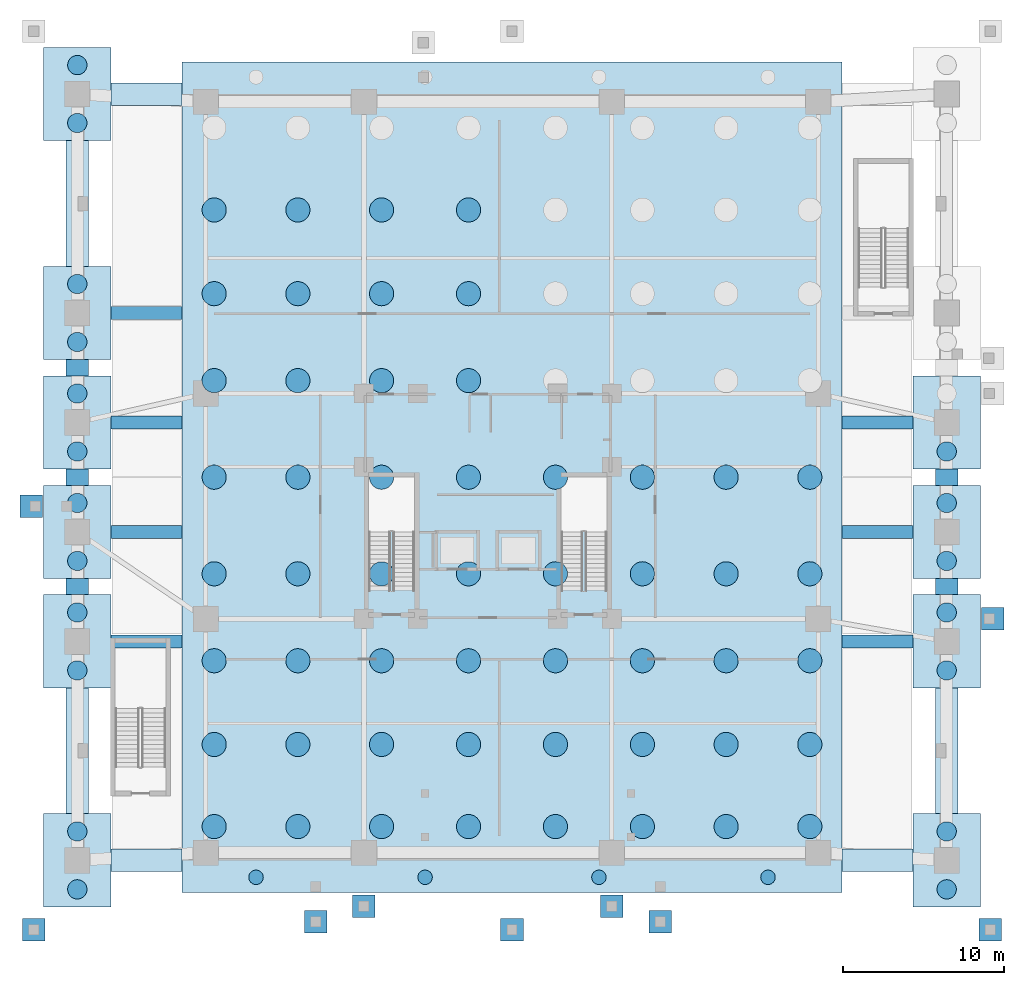
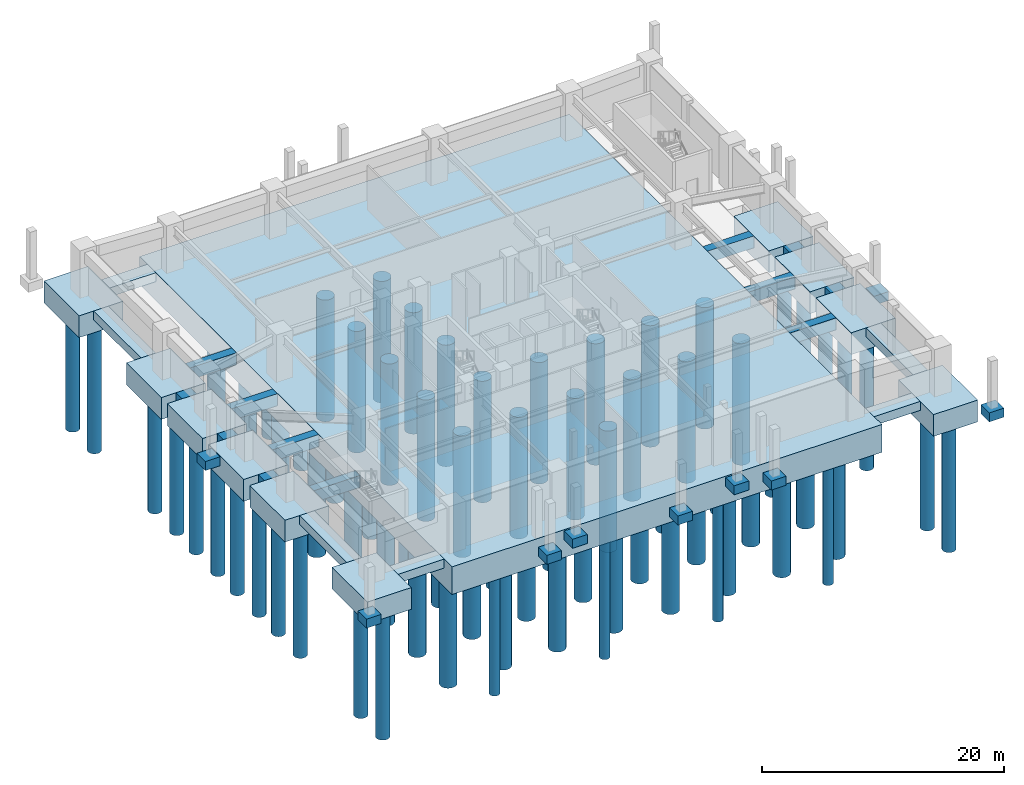
# One storey, part 1 of 8: 75 piles, 38 footings.
"""IFC4 building model written with IfcOpenShell, lengths in metres."""

from ifc_helpers import new_model, si_unit, derived_unit, direction, frame, origin, origin_2d, place, context, subcontext, project, spatial, polyline, circle, outline, extrude, material, layer, layer_set, material_profile, profile_set, type_object, element, save


model = new_model("IFC4")

# Units and contexts
model_context = context("Model", 3, precision=1e-05, world=origin(), true_north=direction((0.0, 1.0)))
body_context = subcontext(model_context, "Body", "Model", "MODEL_VIEW")
ifc_project = project(units=[si_unit("LENGTHUNIT", "METRE"), si_unit("AREAUNIT", "SQUARE_METRE"), si_unit("VOLUMEUNIT", "CUBIC_METRE"), si_unit("PLANEANGLEUNIT", "RADIAN"), si_unit("MASSUNIT", "GRAM", prefix="KILO"), derived_unit("THERMALTRANSMITTANCEUNIT", [(si_unit("MASSUNIT", "GRAM", prefix="KILO"), 1), (si_unit("TIMEUNIT", "SECOND"), -3), (si_unit("THERMODYNAMICTEMPERATUREUNIT", "KELVIN"), -1)])], contexts=[model_context])

# Site, building, storey
site_placement = place(None, origin())
site = spatial("IfcSite", under=ifc_project, at=site_placement, CompositionType="ELEMENT")
building_placement = place(site_placement, origin())
building = spatial("IfcBuilding", under=site, at=building_placement, Name="Korrvale Station Residences", CompositionType="ELEMENT")
storey_placement = place(building_placement, frame((0.0, 0.0, -9.60009765625)))
storey = spatial("IfcBuildingStorey", under=building, at=storey_placement, Name="B02", CompositionType="ELEMENT", Elevation=-9.60009765625)

# Footings
ifc_material = material(Name="Concrete C50/60", Category="concrete")
ifc_layer_1 = layer(ifc_material, 2.199951171875, Name="Concrete C50/60")
ifc_layer_set_1 = layer_set([ifc_layer_1], Name="Concrete C50/60")
footing_type_1 = type_object("IfcFootingType", Name="FTG-CAP-4200x5800", PredefinedType="PILE_CAP", material=ifc_layer_set_1)
footing_1_placement = place(storey_placement, frame((0.0, 0.0, -2.199951171875)))
element("IfcFooting", 1, at=footing_1_placement, inside=storey, type_object=footing_type_1, Name="Station Mega-Column Pile Cap PC-01", PredefinedType="PILE_CAP", context=body_context, shape_type="SweptSolid", body=[
    extrude(outline(polyline([(-2.10009765625, -2.89990234375), (2.10009765625, -2.89990234375), (2.10009765625, 2.89990234375), (-2.10009765625, 2.89990234375), (-2.10009765625, -2.89990234375)])), origin(), (0.0, 0.0, 1.0), 2.199951171875),
])
footing_2_placement = place(storey_placement, frame((0.0, 0.0, -2.199951171875)))
element("IfcFooting", 2, at=footing_2_placement, inside=storey, type_object=footing_type_1, Name="Station Mega-Column Pile Cap PC-02", PredefinedType="PILE_CAP", context=body_context, shape_type="SweptSolid", body=[
    extrude(outline(polyline([(-2.10009765625, 10.699951171875), (2.10009765625, 10.699951171875), (2.10009765625, 16.5), (-2.10009765625, 16.5), (-2.10009765625, 10.699951171875)])), origin(), (0.0, 0.0, 1.0), 2.199951171875),
])
footing_3_placement = place(storey_placement, frame((0.0, 0.0, -2.199951171875)))
element("IfcFooting", 3, at=footing_3_placement, inside=storey, type_object=footing_type_1, Name="Station Mega-Column Pile Cap PC-03", PredefinedType="PILE_CAP", context=body_context, shape_type="SweptSolid", body=[
    extrude(outline(polyline([(-2.10009765625, 17.5), (2.10009765625, 17.5), (2.10009765625, 23.300048828125), (-2.10009765625, 23.300048828125), (-2.10009765625, 17.5)])), origin(), (0.0, 0.0, 1.0), 2.199951171875),
])
footing_4_placement = place(storey_placement, frame((0.0, 0.0, -2.199951171875)))
element("IfcFooting", 4, at=footing_4_placement, inside=storey, type_object=footing_type_1, Name="Station Mega-Column Pile Cap PC-04", PredefinedType="PILE_CAP", context=body_context, shape_type="SweptSolid", body=[
    extrude(outline(polyline([(-2.10009765625, 24.300048828125), (2.10009765625, 24.300048828125), (2.10009765625, 30.10009765625), (-2.10009765625, 30.10009765625), (-2.10009765625, 24.300048828125)])), origin(), (0.0, 0.0, 1.0), 2.199951171875),
])
footing_5_placement = place(storey_placement, frame((0.0, 0.0, -2.199951171875)))
element("IfcFooting", 5, at=footing_5_placement, inside=storey, type_object=footing_type_1, Name="Station Mega-Column Pile Cap PC-05", PredefinedType="PILE_CAP", context=body_context, shape_type="SweptSolid", body=[
    extrude(outline(polyline([(-2.10009765625, 31.10009765625), (2.10009765625, 31.10009765625), (2.10009765625, 36.89990234375), (-2.10009765625, 36.89990234375), (-2.10009765625, 31.10009765625)])), origin(), (0.0, 0.0, 1.0), 2.199951171875),
])
footing_6_placement = place(storey_placement, frame((0.0, 0.0, -2.199951171875)))
element("IfcFooting", 6, at=footing_6_placement, inside=storey, type_object=footing_type_1, Name="Station Mega-Column Pile Cap PC-06", PredefinedType="PILE_CAP", context=body_context, shape_type="SweptSolid", body=[
    extrude(outline(polyline([(-2.10009765625, 44.699951171875), (2.10009765625, 44.699951171875), (2.10009765625, 50.5), (-2.10009765625, 50.5), (-2.10009765625, 44.699951171875)])), origin(), (0.0, 0.0, 1.0), 2.199951171875),
])
footing_7_placement = place(storey_placement, frame((0.0, 0.0, -2.199951171875)))
element("IfcFooting", 7, at=footing_7_placement, inside=storey, type_object=footing_type_1, Name="Station Mega-Column Pile Cap PC-07", PredefinedType="PILE_CAP", context=body_context, shape_type="SweptSolid", body=[
    extrude(outline(polyline([(51.89990234375, -2.89990234375), (56.10009765625, -2.89990234375), (56.10009765625, 2.89990234375), (51.89990234375, 2.89990234375), (51.89990234375, -2.89990234375)])), origin(), (0.0, 0.0, 1.0), 2.199951171875),
])
footing_8_placement = place(storey_placement, frame((0.0, 0.0, -2.199951171875)))
element("IfcFooting", 8, at=footing_8_placement, inside=storey, type_object=footing_type_1, Name="Station Mega-Column Pile Cap PC-08", PredefinedType="PILE_CAP", context=body_context, shape_type="SweptSolid", body=[
    extrude(outline(polyline([(51.89990234375, 10.699951171875), (56.10009765625, 10.699951171875), (56.10009765625, 16.5), (51.89990234375, 16.5), (51.89990234375, 10.699951171875)])), origin(), (0.0, 0.0, 1.0), 2.199951171875),
])
footing_9_placement = place(storey_placement, frame((0.0, 0.0, -2.199951171875)))
element("IfcFooting", 9, at=footing_9_placement, inside=storey, type_object=footing_type_1, Name="Station Mega-Column Pile Cap PC-09", PredefinedType="PILE_CAP", context=body_context, shape_type="SweptSolid", body=[
    extrude(outline(polyline([(51.89990234375, 17.5), (56.10009765625, 17.5), (56.10009765625, 23.300048828125), (51.89990234375, 23.300048828125), (51.89990234375, 17.5)])), origin(), (0.0, 0.0, 1.0), 2.199951171875),
])
footing_10_placement = place(storey_placement, frame((0.0, 0.0, -2.199951171875)))
element("IfcFooting", 10, at=footing_10_placement, inside=storey, type_object=footing_type_1, Name="Station Mega-Column Pile Cap PC-10", PredefinedType="PILE_CAP", context=body_context, shape_type="SweptSolid", body=[
    extrude(outline(polyline([(51.89990234375, 24.300048828125), (56.10009765625, 24.300048828125), (56.10009765625, 30.10009765625), (51.89990234375, 30.10009765625), (51.89990234375, 24.300048828125)])), origin(), (0.0, 0.0, 1.0), 2.199951171875),
])
ifc_layer_2 = layer(ifc_material, 1.199951171875, Name="Concrete C50/60")
ifc_layer_set_2 = layer_set([ifc_layer_2], Name="Concrete C50/60")
footing_type_2 = type_object("IfcFootingType", Name="FTG-GB-800x1200", PredefinedType="FOOTING_BEAM", material=ifc_layer_set_2)
footing_11_placement = place(storey_placement, frame((0.0, 0.0, -1.199951171875)))
element("IfcFooting", 11, at=footing_11_placement, inside=storey, type_object=footing_type_2, Name="Foundation Tie Ground Beam GB-01", PredefinedType="FOOTING_BEAM", context=body_context, shape_type="SweptSolid", body=[
    extrude(outline(polyline([(2.10009765625, 13.199951171875), (6.5, 13.199951171875), (6.5, 14.0), (2.10009765625, 14.0), (2.10009765625, 13.199951171875)])), origin(), (0.0, 0.0, 1.0), 1.199951171875),
])
footing_12_placement = place(storey_placement, frame((0.0, 0.0, -1.199951171875)))
element("IfcFooting", 12, at=footing_12_placement, inside=storey, type_object=footing_type_2, Name="Foundation Tie Ground Beam GB-02", PredefinedType="FOOTING_BEAM", context=body_context, shape_type="SweptSolid", body=[
    extrude(outline(polyline([(2.10009765625, 20.0), (6.5, 20.0), (6.5, 20.800048828125), (2.10009765625, 20.800048828125), (2.10009765625, 20.0)])), origin(), (0.0, 0.0, 1.0), 1.199951171875),
])
footing_13_placement = place(storey_placement, frame((0.0, 0.0, -1.199951171875)))
element("IfcFooting", 13, at=footing_13_placement, inside=storey, type_object=footing_type_2, Name="Foundation Tie Ground Beam GB-03", PredefinedType="FOOTING_BEAM", context=body_context, shape_type="SweptSolid", body=[
    extrude(outline(polyline([(2.10009765625, 26.800048828125), (6.5, 26.800048828125), (6.5, 27.60009765625), (2.10009765625, 27.60009765625), (2.10009765625, 26.800048828125)])), origin(), (0.0, 0.0, 1.0), 1.199951171875),
])
footing_14_placement = place(storey_placement, frame((0.0, 0.0, -1.199951171875)))
element("IfcFooting", 14, at=footing_14_placement, inside=storey, type_object=footing_type_2, Name="Foundation Tie Ground Beam GB-04", PredefinedType="FOOTING_BEAM", context=body_context, shape_type="SweptSolid", body=[
    extrude(outline(polyline([(2.10009765625, 33.60009765625), (6.5, 33.60009765625), (6.5, 34.39990234375), (2.10009765625, 34.39990234375), (2.10009765625, 33.60009765625)])), origin(), (0.0, 0.0, 1.0), 1.199951171875),
])
footing_15_placement = place(storey_placement, frame((0.0, 0.0, -1.199951171875)))
element("IfcFooting", 15, at=footing_15_placement, inside=storey, type_object=footing_type_2, Name="Foundation Tie Ground Beam GB-05", PredefinedType="FOOTING_BEAM", context=body_context, shape_type="SweptSolid", body=[
    extrude(outline(polyline([(47.5, 13.199951171875), (51.89990234375, 13.199951171875), (51.89990234375, 14.0), (47.5, 14.0), (47.5, 13.199951171875)])), origin(), (0.0, 0.0, 1.0), 1.199951171875),
])
footing_16_placement = place(storey_placement, frame((0.0, 0.0, -1.199951171875)))
element("IfcFooting", 16, at=footing_16_placement, inside=storey, type_object=footing_type_2, Name="Foundation Tie Ground Beam GB-06", PredefinedType="FOOTING_BEAM", context=body_context, shape_type="SweptSolid", body=[
    extrude(outline(polyline([(47.5, 20.0), (51.89990234375, 20.0), (51.89990234375, 20.800048828125), (47.5, 20.800048828125), (47.5, 20.0)])), origin(), (0.0, 0.0, 1.0), 1.199951171875),
])
footing_17_placement = place(storey_placement, frame((0.0, 0.0, -1.199951171875)))
element("IfcFooting", 17, at=footing_17_placement, inside=storey, type_object=footing_type_2, Name="Foundation Tie Ground Beam GB-07", PredefinedType="FOOTING_BEAM", context=body_context, shape_type="SweptSolid", body=[
    extrude(outline(polyline([(47.5, 26.800048828125), (51.89990234375, 26.800048828125), (51.89990234375, 27.60009765625), (47.5, 27.60009765625), (47.5, 26.800048828125)])), origin(), (0.0, 0.0, 1.0), 1.199951171875),
])
ifc_layer_3 = layer(ifc_material, 2.800048828125, Name="Concrete C50/60")
ifc_layer_set_3 = layer_set([ifc_layer_3], Name="Concrete C50/60")
footing_type_3 = type_object("IfcFootingType", Name="FTG-RAFT-2800", PredefinedType="PILE_CAP", material=ifc_layer_set_3)
footing_18_placement = place(storey_placement, frame((0.0, 0.0, -2.7998046875)))
element("IfcFooting", 18, at=footing_18_placement, inside=storey, type_object=footing_type_3, Name="Tower Unified Piled Raft", PredefinedType="PILE_CAP", context=body_context, shape_type="SweptSolid", body=[
    extrude(outline(polyline([(6.5, -2.0), (47.5, -2.0), (47.5, 49.60009765625), (6.5, 49.60009765625), (6.5, -2.0)])), origin(), (0.0, 0.0, 1.0), 2.7998046875),
])
ifc_layer_4 = layer(ifc_material, 0.89990234375, Name="Concrete C50/60")
ifc_layer_set_4 = layer_set([ifc_layer_4], Name="Concrete C50/60")
footing_type_4 = type_object("IfcFootingType", Name="FTG-SF-1400x900", PredefinedType="STRIP_FOOTING", material=ifc_layer_set_4)
footing_19_placement = place(storey_placement, frame((0.0, 0.0, -0.89990234375)))
element("IfcFooting", 19, at=footing_19_placement, inside=storey, type_object=footing_type_4, Name="Perimeter Retaining Wall Strip Footing SF-01", PredefinedType="STRIP_FOOTING", context=body_context, shape_type="SweptSolid", body=[
    extrude(outline(polyline([(-0.699951171875, 2.89990234375), (0.699951171875, 2.89990234375), (0.699951171875, 10.699951171875), (-0.699951171875, 10.699951171875), (-0.699951171875, 2.89990234375)])), origin(), (0.0, 0.0, 1.0), 0.89990234375),
])
footing_20_placement = place(storey_placement, frame((0.0, 0.0, -0.89990234375)))
element("IfcFooting", 20, at=footing_20_placement, inside=storey, type_object=footing_type_4, Name="Perimeter Retaining Wall Strip Footing SF-02", PredefinedType="STRIP_FOOTING", context=body_context, shape_type="SweptSolid", body=[
    extrude(outline(polyline([(-0.699951171875, 16.5), (0.699951171875, 16.5), (0.699951171875, 17.5), (-0.699951171875, 17.5), (-0.699951171875, 16.5)])), origin(), (0.0, 0.0, 1.0), 0.89990234375),
])
footing_21_placement = place(storey_placement, frame((0.0, 0.0, -0.89990234375)))
element("IfcFooting", 21, at=footing_21_placement, inside=storey, type_object=footing_type_4, Name="Perimeter Retaining Wall Strip Footing SF-03", PredefinedType="STRIP_FOOTING", context=body_context, shape_type="SweptSolid", body=[
    extrude(outline(polyline([(-0.699951171875, 23.300048828125), (0.699951171875, 23.300048828125), (0.699951171875, 24.300048828125), (-0.699951171875, 24.300048828125), (-0.699951171875, 23.300048828125)])), origin(), (0.0, 0.0, 1.0), 0.89990234375),
])
footing_22_placement = place(storey_placement, frame((0.0, 0.0, -0.89990234375)))
element("IfcFooting", 22, at=footing_22_placement, inside=storey, type_object=footing_type_4, Name="Perimeter Retaining Wall Strip Footing SF-04", PredefinedType="STRIP_FOOTING", context=body_context, shape_type="SweptSolid", body=[
    extrude(outline(polyline([(-0.699951171875, 30.10009765625), (0.699951171875, 30.10009765625), (0.699951171875, 31.10009765625), (-0.699951171875, 31.10009765625), (-0.699951171875, 30.10009765625)])), origin(), (0.0, 0.0, 1.0), 0.89990234375),
])
footing_23_placement = place(storey_placement, frame((0.0, 0.0, -0.89990234375)))
element("IfcFooting", 23, at=footing_23_placement, inside=storey, type_object=footing_type_4, Name="Perimeter Retaining Wall Strip Footing SF-05", PredefinedType="STRIP_FOOTING", context=body_context, shape_type="SweptSolid", body=[
    extrude(outline(polyline([(-0.699951171875, 36.89990234375), (0.699951171875, 36.89990234375), (0.699951171875, 44.699951171875), (-0.699951171875, 44.699951171875), (-0.699951171875, 36.89990234375)])), origin(), (0.0, 0.0, 1.0), 0.89990234375),
])
footing_24_placement = place(storey_placement, frame((0.0, 0.0, -0.89990234375)))
element("IfcFooting", 24, at=footing_24_placement, inside=storey, type_object=footing_type_4, Name="Perimeter Retaining Wall Strip Footing SF-06", PredefinedType="STRIP_FOOTING", context=body_context, shape_type="SweptSolid", body=[
    extrude(outline(polyline([(53.300048828125, 2.89990234375), (54.699951171875, 2.89990234375), (54.699951171875, 10.699951171875), (53.300048828125, 10.699951171875), (53.300048828125, 2.89990234375)])), origin(), (0.0, 0.0, 1.0), 0.89990234375),
])
footing_25_placement = place(storey_placement, frame((0.0, 0.0, -0.89990234375)))
element("IfcFooting", 25, at=footing_25_placement, inside=storey, type_object=footing_type_4, Name="Perimeter Retaining Wall Strip Footing SF-07", PredefinedType="STRIP_FOOTING", context=body_context, shape_type="SweptSolid", body=[
    extrude(outline(polyline([(53.300048828125, 16.5), (54.699951171875, 16.5), (54.699951171875, 17.5), (53.300048828125, 17.5), (53.300048828125, 16.5)])), origin(), (0.0, 0.0, 1.0), 0.89990234375),
])
footing_26_placement = place(storey_placement, frame((0.0, 0.0, -0.89990234375)))
element("IfcFooting", 26, at=footing_26_placement, inside=storey, type_object=footing_type_4, Name="Perimeter Retaining Wall Strip Footing SF-08", PredefinedType="STRIP_FOOTING", context=body_context, shape_type="SweptSolid", body=[
    extrude(outline(polyline([(53.300048828125, 23.300048828125), (54.699951171875, 23.300048828125), (54.699951171875, 24.300048828125), (53.300048828125, 24.300048828125), (53.300048828125, 23.300048828125)])), origin(), (0.0, 0.0, 1.0), 0.89990234375),
])
footing_27_placement = place(storey_placement, frame((0.0, 0.0, -0.89990234375)))
element("IfcFooting", 27, at=footing_27_placement, inside=storey, type_object=footing_type_4, Name="Perimeter Retaining Wall Strip Footing SF-11", PredefinedType="STRIP_FOOTING", context=body_context, shape_type="SweptSolid", body=[
    extrude(outline(polyline([(2.10009765625, -0.699951171875), (6.5, -0.699951171875), (6.5, 0.699951171875), (2.10009765625, 0.699951171875), (2.10009765625, -0.699951171875)])), origin(), (0.0, 0.0, 1.0), 0.89990234375),
])
footing_28_placement = place(storey_placement, frame((0.0, 0.0, -0.89990234375)))
element("IfcFooting", 28, at=footing_28_placement, inside=storey, type_object=footing_type_4, Name="Perimeter Retaining Wall Strip Footing SF-12", PredefinedType="STRIP_FOOTING", context=body_context, shape_type="SweptSolid", body=[
    extrude(outline(polyline([(47.5, -0.699951171875), (51.89990234375, -0.699951171875), (51.89990234375, 0.699951171875), (47.5, 0.699951171875), (47.5, -0.699951171875)])), origin(), (0.0, 0.0, 1.0), 0.89990234375),
])
footing_29_placement = place(storey_placement, frame((0.0, 0.0, -0.89990234375)))
element("IfcFooting", 29, at=footing_29_placement, inside=storey, type_object=footing_type_4, Name="Perimeter Retaining Wall Strip Footing SF-13", PredefinedType="STRIP_FOOTING", context=body_context, shape_type="SweptSolid", body=[
    extrude(outline(polyline([(2.10009765625, 46.89990234375), (6.5, 46.89990234375), (6.5, 48.300048828125), (2.10009765625, 48.300048828125), (2.10009765625, 46.89990234375)])), origin(), (0.0, 0.0, 1.0), 0.89990234375),
])
footing_30_placement = place(storey_placement, frame((0.0, 0.0, -0.89990234375)))
element("IfcFooting", 30, at=footing_30_placement, inside=storey, type_object=footing_type_4, Name="Plaza Frost Pier Footing 1", PredefinedType="STRIP_FOOTING", context=body_context, shape_type="SweptSolid", body=[
    extrude(outline(polyline([(-3.39990234375, -5.0), (-2.0, -5.0), (-2.0, -3.60009765625), (-3.39990234375, -3.60009765625), (-3.39990234375, -5.0)])), origin(), (0.0, 0.0, 1.0), 0.89990234375),
])
footing_31_placement = place(storey_placement, frame((0.0, 0.0, -0.89990234375)))
element("IfcFooting", 31, at=footing_31_placement, inside=storey, type_object=footing_type_4, Name="Plaza Frost Pier Footing 2", PredefinedType="STRIP_FOOTING", context=body_context, shape_type="SweptSolid", body=[
    extrude(outline(polyline([(26.300048828125, -5.0), (27.699951171875, -5.0), (27.699951171875, -3.60009765625), (26.300048828125, -3.60009765625), (26.300048828125, -5.0)])), origin(), (0.0, 0.0, 1.0), 0.89990234375),
])
footing_32_placement = place(storey_placement, frame((0.0, 0.0, -0.89990234375)))
element("IfcFooting", 32, at=footing_32_placement, inside=storey, type_object=footing_type_4, Name="Plaza Frost Pier Footing 3", PredefinedType="STRIP_FOOTING", context=body_context, shape_type="SweptSolid", body=[
    extrude(outline(polyline([(56.0, -5.0), (57.39990234375, -5.0), (57.39990234375, -3.60009765625), (56.0, -3.60009765625), (56.0, -5.0)])), origin(), (0.0, 0.0, 1.0), 0.89990234375),
])
footing_33_placement = place(storey_placement, frame((0.0, 0.0, -0.89990234375)))
element("IfcFooting", 33, at=footing_33_placement, inside=storey, type_object=footing_type_4, Name="Plaza Frost Pier Footing 7", PredefinedType="STRIP_FOOTING", context=body_context, shape_type="SweptSolid", body=[
    extrude(outline(polyline([(14.10009765625, -4.5), (15.5, -4.5), (15.5, -3.10009765625), (14.10009765625, -3.10009765625), (14.10009765625, -4.5)])), origin(), (0.0, 0.0, 1.0), 0.89990234375),
])
footing_34_placement = place(storey_placement, frame((0.0, 0.0, -0.89990234375)))
element("IfcFooting", 34, at=footing_34_placement, inside=storey, type_object=footing_type_4, Name="Plaza Frost Pier Footing 9", PredefinedType="STRIP_FOOTING", context=body_context, shape_type="SweptSolid", body=[
    extrude(outline(polyline([(35.5, -4.5), (36.89990234375, -4.5), (36.89990234375, -3.10009765625), (35.5, -3.10009765625), (35.5, -4.5)])), origin(), (0.0, 0.0, 1.0), 0.89990234375),
])
footing_35_placement = place(storey_placement, frame((0.0, 0.0, -0.89990234375)))
element("IfcFooting", 35, at=footing_35_placement, inside=storey, type_object=footing_type_4, Name="Plaza Frost Pier Footing 13", PredefinedType="STRIP_FOOTING", context=body_context, shape_type="SweptSolid", body=[
    extrude(outline(polyline([(-3.56005859375, 21.300048828125), (-2.159912109375, 21.300048828125), (-2.159912109375, 22.699951171875), (-3.56005859375, 22.699951171875), (-3.56005859375, 21.300048828125)])), origin(), (0.0, 0.0, 1.0), 0.89990234375),
])
footing_36_placement = place(storey_placement, frame((0.0, 0.0, -0.89990234375)))
element("IfcFooting", 36, at=footing_36_placement, inside=storey, type_object=footing_type_4, Name="Canopy Portal Footing SOUTH1", PredefinedType="STRIP_FOOTING", context=body_context, shape_type="SweptSolid", body=[
    extrude(outline(polyline([(17.10009765625, -3.550048828125), (18.5, -3.550048828125), (18.5, -2.14990234375), (17.10009765625, -2.14990234375), (17.10009765625, -3.550048828125)])), origin(), (0.0, 0.0, 1.0), 0.89990234375),
])
footing_37_placement = place(storey_placement, frame((0.0, 0.0, -0.89990234375)))
element("IfcFooting", 37, at=footing_37_placement, inside=storey, type_object=footing_type_4, Name="Canopy Portal Footing SOUTH2", PredefinedType="STRIP_FOOTING", context=body_context, shape_type="SweptSolid", body=[
    extrude(outline(polyline([(32.5, -3.550048828125), (33.89990234375, -3.550048828125), (33.89990234375, -2.14990234375), (32.5, -2.14990234375), (32.5, -3.550048828125)])), origin(), (0.0, 0.0, 1.0), 0.89990234375),
])
footing_38_placement = place(storey_placement, frame((0.0, 0.0, -0.89990234375)))
element("IfcFooting", 38, at=footing_38_placement, inside=storey, type_object=footing_type_4, Name="Canopy Portal Footing EAST1", PredefinedType="STRIP_FOOTING", context=body_context, shape_type="SweptSolid", body=[
    extrude(outline(polyline([(56.14990234375, 14.300048828125), (57.550048828125, 14.300048828125), (57.550048828125, 15.699951171875), (56.14990234375, 15.699951171875), (56.14990234375, 14.300048828125)])), origin(), (0.0, 0.0, 1.0), 0.89990234375),
])

# Piles
ifc_material_profile_1 = material_profile(ifc_material, circle(Radius=0.60009765625, at=origin_2d()), Name="PILE1200")
ifc_profile_set_1 = profile_set([ifc_material_profile_1], Name="Concrete C50/60")
pile_type_1 = type_object("IfcPileType", Name="PILE-BORED-1200", PredefinedType="BORED", material=ifc_profile_set_1)
for number, where, z_axis, x_axis, name in (
    (39, (0.0, -1.800048828125, -2.0498046875), (0.0, 0.0, -1.0), (1.0, 0.0, 0.0), "Station Rock-Socketed Caisson P2-01"),
    (40, (0.0, 1.800048828125, -2.0498046875), (0.0, 0.0, -1.0), (1.0, 0.0, 0.0), "Station Rock-Socketed Caisson P2-02"),
    (41, (0.0, 11.800048828125, -2.0498046875), (0.0, 0.0, -1.0), (1.0, 0.0, 0.0), "Station Rock-Socketed Caisson P2-03"),
    (42, (0.0, 15.39990234375, -2.0498046875), (0.0, 0.0, -1.0), (1.0, 0.0, 0.0), "Station Rock-Socketed Caisson P2-04"),
    (43, (0.0, 18.60009765625, -2.0498046875), (0.0, 0.0, -1.0), (1.0, 0.0, 0.0), "Station Rock-Socketed Caisson P2-05"),
    (44, (0.0, 22.199951171875, -2.0498046875), (0.0, 0.0, -1.0), (1.0, 0.0, 0.0), "Station Rock-Socketed Caisson P2-06"),
    (45, (0.0, 25.39990234375, -2.0498046875), (0.0, 0.0, -1.0), (1.0, 0.0, 0.0), "Station Rock-Socketed Caisson P2-07"),
    (46, (0.0, 29.0, -2.0498046875), (0.0, 0.0, -1.0), (1.0, 0.0, 0.0), "Station Rock-Socketed Caisson P2-08"),
    (47, (0.0, 32.199951171875, -2.0498046875), (0.0, 0.0, -1.0), (1.0, 0.0, 0.0), "Station Rock-Socketed Caisson P2-09"),
    (48, (0.0, 35.800048828125, -2.0498046875), (0.0, 0.0, -1.0), (1.0, 0.0, 0.0), "Station Rock-Socketed Caisson P2-10"),
    (49, (0.0, 45.800048828125, -2.0498046875), (0.0, 0.0, -1.0), (1.0, 0.0, 0.0), "Station Rock-Socketed Caisson P2-11"),
    (50, (0.0, 49.39990234375, -2.0498046875), (0.0, 0.0, -1.0), (1.0, 0.0, 0.0), "Station Rock-Socketed Caisson P2-12"),
    (51, (54.0, -1.800048828125, -2.0498046875), (0.0, 0.0, -1.0), (1.0, 0.0, 0.0), "Station Rock-Socketed Caisson P2-13"),
    (52, (54.0, 1.800048828125, -2.0498046875), (0.0, 0.0, -1.0), (1.0, 0.0, 0.0), "Station Rock-Socketed Caisson P2-14"),
    (53, (54.0, 11.800048828125, -2.0498046875), (0.0, 0.0, -1.0), (1.0, 0.0, 0.0), "Station Rock-Socketed Caisson P2-15"),
    (54, (54.0, 15.39990234375, -2.0498046875), (0.0, 0.0, -1.0), (1.0, 0.0, 0.0), "Station Rock-Socketed Caisson P2-16"),
    (55, (54.0, 18.60009765625, -2.0498046875), (0.0, 0.0, -1.0), (1.0, 0.0, 0.0), "Station Rock-Socketed Caisson P2-17"),
    (56, (54.0, 22.199951171875, -2.0498046875), (0.0, 0.0, -1.0), (1.0, 0.0, 0.0), "Station Rock-Socketed Caisson P2-18"),
    (57, (54.0, 25.39990234375, -2.0498046875), (0.0, 0.0, -1.0), (1.0, 0.0, 0.0), "Station Rock-Socketed Caisson P2-19"),
):
    element("IfcPile", number, at=place(storey_placement, frame(where, z_axis=z_axis, x_axis=x_axis)), inside=storey, type_object=pile_type_1, Name=name, PredefinedType="BORED", context=body_context, shape_type="SweptSolid", body=[
        extrude(circle(Radius=0.60009765625, at=origin_2d()), origin(), (0.0, 0.0, 1.0), 12.85009765625),
    ])
ifc_material_profile_2 = material_profile(ifc_material, circle(Radius=0.75, at=origin_2d()), Name="PILE1500")
ifc_profile_set_2 = profile_set([ifc_material_profile_2], Name="Concrete C50/60")
pile_type_2 = type_object("IfcPileType", Name="PILE-BORED-1500", PredefinedType="BORED", material=ifc_profile_set_2)
for number, where, z_axis, x_axis, name in (
    (58, (8.5, 2.10009765625, -2.64990234375), (0.0, 0.0, -1.0), (1.0, 0.0, 0.0), "Tower Rock-Socketed Caisson P1-01"),
    (59, (8.5, 7.199951171875, -2.64990234375), (0.0, 0.0, -1.0), (1.0, 0.0, 0.0), "Tower Rock-Socketed Caisson P1-02"),
    (60, (8.5, 12.39990234375, -2.64990234375), (0.0, 0.0, -1.0), (1.0, 0.0, 0.0), "Tower Rock-Socketed Caisson P1-03"),
    (61, (8.5, 17.800048828125, -2.64990234375), (0.0, 0.0, -1.0), (1.0, 0.0, 0.0), "Tower Rock-Socketed Caisson P1-04"),
    (62, (8.5, 23.800048828125, -2.64990234375), (0.0, 0.0, -1.0), (1.0, 0.0, 0.0), "Tower Rock-Socketed Caisson P1-05"),
    (63, (8.5, 29.800048828125, -2.64990234375), (0.0, 0.0, -1.0), (1.0, 0.0, 0.0), "Tower Rock-Socketed Caisson P1-06"),
    (64, (8.5, 35.199951171875, -2.64990234375), (0.0, 0.0, -1.0), (1.0, 0.0, 0.0), "Tower Rock-Socketed Caisson P1-07"),
    (65, (8.5, 40.39990234375, -2.64990234375), (0.0, 0.0, -1.0), (1.0, 0.0, 0.0), "Tower Rock-Socketed Caisson P1-08"),
    (66, (13.699951171875, 2.10009765625, -2.64990234375), (0.0, 0.0, -1.0), (1.0, 0.0, 0.0), "Tower Rock-Socketed Caisson P1-10"),
    (67, (13.699951171875, 7.199951171875, -2.64990234375), (0.0, 0.0, -1.0), (1.0, 0.0, 0.0), "Tower Rock-Socketed Caisson P1-11"),
    (68, (13.699951171875, 12.39990234375, -2.64990234375), (0.0, 0.0, -1.0), (1.0, 0.0, 0.0), "Tower Rock-Socketed Caisson P1-12"),
    (69, (13.699951171875, 17.800048828125, -2.64990234375), (0.0, 0.0, -1.0), (1.0, 0.0, 0.0), "Tower Rock-Socketed Caisson P1-13"),
    (70, (13.699951171875, 23.800048828125, -2.64990234375), (0.0, 0.0, -1.0), (1.0, 0.0, 0.0), "Tower Rock-Socketed Caisson P1-14"),
    (71, (13.699951171875, 29.800048828125, -2.64990234375), (0.0, 0.0, -1.0), (1.0, 0.0, 0.0), "Tower Rock-Socketed Caisson P1-15"),
    (72, (13.699951171875, 35.199951171875, -2.64990234375), (0.0, 0.0, -1.0), (1.0, 0.0, 0.0), "Tower Rock-Socketed Caisson P1-16"),
    (73, (13.699951171875, 40.39990234375, -2.64990234375), (0.0, 0.0, -1.0), (1.0, 0.0, 0.0), "Tower Rock-Socketed Caisson P1-17"),
    (74, (18.89990234375, 2.10009765625, -2.64990234375), (0.0, 0.0, -1.0), (1.0, 0.0, 0.0), "Tower Rock-Socketed Caisson P1-19"),
    (75, (18.89990234375, 7.199951171875, -2.64990234375), (0.0, 0.0, -1.0), (1.0, 0.0, 0.0), "Tower Rock-Socketed Caisson P1-20"),
    (76, (18.89990234375, 12.39990234375, -2.64990234375), (0.0, 0.0, -1.0), (1.0, 0.0, 0.0), "Tower Rock-Socketed Caisson P1-21"),
    (77, (18.89990234375, 17.800048828125, -2.64990234375), (0.0, 0.0, -1.0), (1.0, 0.0, 0.0), "Tower Rock-Socketed Caisson P1-22"),
    (78, (18.89990234375, 23.800048828125, -2.64990234375), (0.0, 0.0, -1.0), (1.0, 0.0, 0.0), "Tower Rock-Socketed Caisson P1-23"),
    (79, (18.89990234375, 29.800048828125, -2.64990234375), (0.0, 0.0, -1.0), (1.0, 0.0, 0.0), "Tower Rock-Socketed Caisson P1-24"),
    (80, (18.89990234375, 35.199951171875, -2.64990234375), (0.0, 0.0, -1.0), (1.0, 0.0, 0.0), "Tower Rock-Socketed Caisson P1-25"),
    (81, (18.89990234375, 40.39990234375, -2.64990234375), (0.0, 0.0, -1.0), (1.0, 0.0, 0.0), "Tower Rock-Socketed Caisson P1-26"),
    (82, (24.300048828125, 2.10009765625, -2.64990234375), (0.0, 0.0, -1.0), (1.0, 0.0, 0.0), "Tower Rock-Socketed Caisson P1-28"),
    (83, (24.300048828125, 7.199951171875, -2.64990234375), (0.0, 0.0, -1.0), (1.0, 0.0, 0.0), "Tower Rock-Socketed Caisson P1-29"),
    (84, (24.300048828125, 12.39990234375, -2.64990234375), (0.0, 0.0, -1.0), (1.0, 0.0, 0.0), "Tower Rock-Socketed Caisson P1-30"),
    (85, (24.300048828125, 17.800048828125, -2.64990234375), (0.0, 0.0, -1.0), (1.0, 0.0, 0.0), "Tower Rock-Socketed Caisson P1-31"),
    (86, (24.300048828125, 23.800048828125, -2.64990234375), (0.0, 0.0, -1.0), (1.0, 0.0, 0.0), "Tower Rock-Socketed Caisson P1-32"),
    (87, (24.300048828125, 29.800048828125, -2.64990234375), (0.0, 0.0, -1.0), (1.0, 0.0, 0.0), "Tower Rock-Socketed Caisson P1-33"),
    (88, (24.300048828125, 35.199951171875, -2.64990234375), (0.0, 0.0, -1.0), (1.0, 0.0, 0.0), "Tower Rock-Socketed Caisson P1-34"),
    (89, (24.300048828125, 40.39990234375, -2.64990234375), (0.0, 0.0, -1.0), (1.0, 0.0, 0.0), "Tower Rock-Socketed Caisson P1-35"),
    (90, (29.699951171875, 2.10009765625, -2.64990234375), (0.0, 0.0, -1.0), (1.0, 0.0, 0.0), "Tower Rock-Socketed Caisson P1-37"),
    (91, (29.699951171875, 7.199951171875, -2.64990234375), (0.0, 0.0, -1.0), (1.0, 0.0, 0.0), "Tower Rock-Socketed Caisson P1-38"),
    (92, (29.699951171875, 12.39990234375, -2.64990234375), (0.0, 0.0, -1.0), (1.0, 0.0, 0.0), "Tower Rock-Socketed Caisson P1-39"),
    (93, (29.699951171875, 17.800048828125, -2.64990234375), (0.0, 0.0, -1.0), (1.0, 0.0, 0.0), "Tower Rock-Socketed Caisson P1-40"),
    (94, (29.699951171875, 23.800048828125, -2.64990234375), (0.0, 0.0, -1.0), (1.0, 0.0, 0.0), "Tower Rock-Socketed Caisson P1-41"),
    (95, (35.10009765625, 2.10009765625, -2.64990234375), (0.0, 0.0, -1.0), (1.0, 0.0, 0.0), "Tower Rock-Socketed Caisson P1-46"),
    (96, (35.10009765625, 7.199951171875, -2.64990234375), (0.0, 0.0, -1.0), (1.0, 0.0, 0.0), "Tower Rock-Socketed Caisson P1-47"),
    (97, (35.10009765625, 12.39990234375, -2.64990234375), (0.0, 0.0, -1.0), (1.0, 0.0, 0.0), "Tower Rock-Socketed Caisson P1-48"),
    (98, (35.10009765625, 17.800048828125, -2.64990234375), (0.0, 0.0, -1.0), (1.0, 0.0, 0.0), "Tower Rock-Socketed Caisson P1-49"),
    (99, (35.10009765625, 23.800048828125, -2.64990234375), (0.0, 0.0, -1.0), (1.0, 0.0, 0.0), "Tower Rock-Socketed Caisson P1-50"),
    (100, (40.300048828125, 2.10009765625, -2.64990234375), (0.0, 0.0, -1.0), (1.0, 0.0, 0.0), "Tower Rock-Socketed Caisson P1-55"),
    (101, (40.300048828125, 7.199951171875, -2.64990234375), (0.0, 0.0, -1.0), (1.0, 0.0, 0.0), "Tower Rock-Socketed Caisson P1-56"),
    (102, (40.300048828125, 12.39990234375, -2.64990234375), (0.0, 0.0, -1.0), (1.0, 0.0, 0.0), "Tower Rock-Socketed Caisson P1-57"),
    (103, (40.300048828125, 17.800048828125, -2.64990234375), (0.0, 0.0, -1.0), (1.0, 0.0, 0.0), "Tower Rock-Socketed Caisson P1-58"),
    (104, (40.300048828125, 23.800048828125, -2.64990234375), (0.0, 0.0, -1.0), (1.0, 0.0, 0.0), "Tower Rock-Socketed Caisson P1-59"),
    (105, (45.5, 2.10009765625, -2.64990234375), (0.0, 0.0, -1.0), (1.0, 0.0, 0.0), "Tower Rock-Socketed Caisson P1-64"),
    (106, (45.5, 7.199951171875, -2.64990234375), (0.0, 0.0, -1.0), (1.0, 0.0, 0.0), "Tower Rock-Socketed Caisson P1-65"),
    (107, (45.5, 12.39990234375, -2.64990234375), (0.0, 0.0, -1.0), (1.0, 0.0, 0.0), "Tower Rock-Socketed Caisson P1-66"),
    (108, (45.5, 17.800048828125, -2.64990234375), (0.0, 0.0, -1.0), (1.0, 0.0, 0.0), "Tower Rock-Socketed Caisson P1-67"),
    (109, (45.5, 23.800048828125, -2.64990234375), (0.0, 0.0, -1.0), (1.0, 0.0, 0.0), "Tower Rock-Socketed Caisson P1-68"),
):
    element("IfcPile", number, at=place(storey_placement, frame(where, z_axis=z_axis, x_axis=x_axis)), inside=storey, type_object=pile_type_2, Name=name, PredefinedType="BORED", context=body_context, shape_type="SweptSolid", body=[
        extrude(circle(Radius=0.75, at=origin_2d()), origin(), (0.0, 0.0, 1.0), 12.25),
    ])
ifc_material_profile_3 = material_profile(ifc_material, circle(Radius=0.449951171875, at=origin_2d()), Name="PILE900")
ifc_profile_set_3 = profile_set([ifc_material_profile_3], Name="Concrete C50/60")
pile_type_3 = type_object("IfcPileType", Name="PILE-SUPPORT-900", PredefinedType="SUPPORT", material=ifc_profile_set_3)
for number, where, z_axis, x_axis, name in (
    (110, (11.10009765625, -1.050048828125, -2.64990234375), (0.0, 0.0, -1.0), (1.0, 0.0, 0.0), "Perimeter Support Caisson P3-01"),
    (111, (21.60009765625, -1.050048828125, -2.64990234375), (0.0, 0.0, -1.0), (1.0, 0.0, 0.0), "Perimeter Support Caisson P3-02"),
    (112, (32.39990234375, -1.050048828125, -2.64990234375), (0.0, 0.0, -1.0), (1.0, 0.0, 0.0), "Perimeter Support Caisson P3-03"),
    (113, (42.89990234375, -1.050048828125, -2.64990234375), (0.0, 0.0, -1.0), (1.0, 0.0, 0.0), "Perimeter Support Caisson P3-04"),
):
    element("IfcPile", number, at=place(storey_placement, frame(where, z_axis=z_axis, x_axis=x_axis)), inside=storey, type_object=pile_type_3, Name=name, PredefinedType="SUPPORT", context=body_context, shape_type="SweptSolid", body=[
        extrude(circle(Radius=0.449951171875, at=origin_2d()), origin(), (0.0, 0.0, 1.0), 12.25),
    ])

save(model, "model.ifc")
